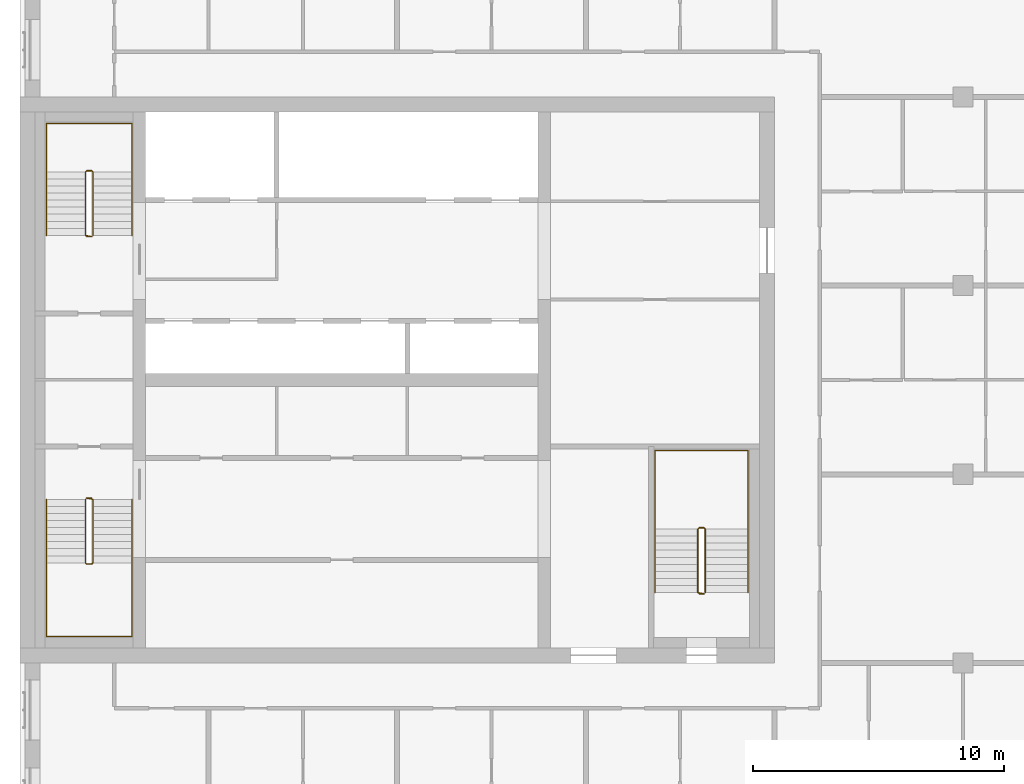
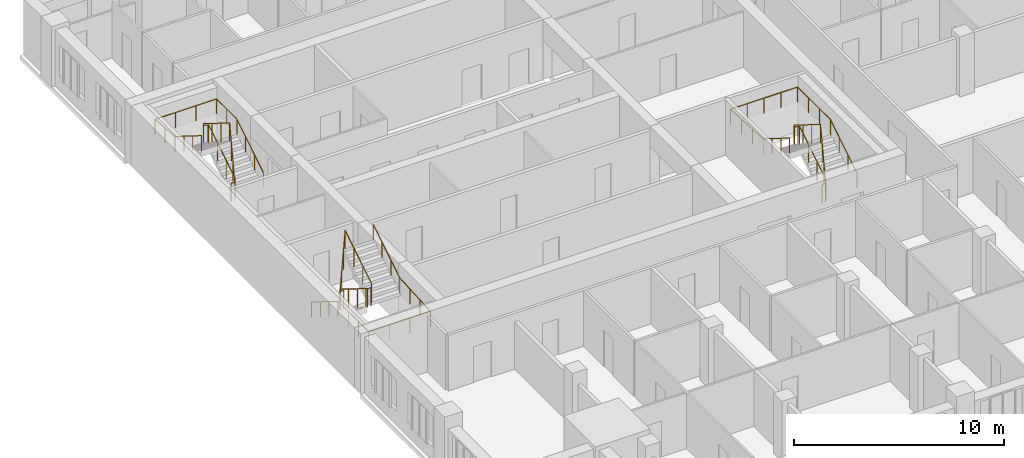
# One storey, part 11 of 11: 6 railings.
"""IFC4 building model written with IfcOpenShell, lengths in metres."""

from ifc_helpers import new_model, si_unit, direction, frame, origin, origin_2d, place, context, subcontext, project, spatial, circle, extrude, material, type_object, element, save


model = new_model("IFC4")

# Units and contexts
model_context = context("Model", 3, precision=1e-05, world=origin(), true_north=direction((0.0, 1.0)))
body_context = subcontext(model_context, "Body", "Model", "MODEL_VIEW")
ifc_project = project(units=[si_unit("LENGTHUNIT", "METRE"), si_unit("AREAUNIT", "SQUARE_METRE"), si_unit("VOLUMEUNIT", "CUBIC_METRE"), si_unit("PLANEANGLEUNIT", "RADIAN"), si_unit("MASSUNIT", "GRAM", prefix="KILO")], contexts=[model_context])

# Site, building, storey
site_placement = place(None, origin())
site = spatial("IfcSite", under=ifc_project, at=site_placement, CompositionType="ELEMENT")
building_placement = place(site_placement, origin())
building = spatial("IfcBuilding", under=site, at=building_placement, Name="Tamorin Gate", CompositionType="ELEMENT")
storey_placement = place(building_placement, frame((0.0, 0.0, 226.699951171875)))
storey = spatial("IfcBuildingStorey", under=building, at=storey_placement, Name="L56", CompositionType="ELEMENT", Elevation=226.699951171875)

# Railings
ifc_material_1 = material(Name="Painted steel balustrade", Category="steel")
railing_type_1 = type_object("IfcRailingType", Name="Stair guard 1100", PredefinedType="GUARDRAIL", material=ifc_material_1)
railing_1_placement = place(storey_placement, frame((32.60009765625, 66.5, 0.175048828125)))
element("IfcRailing", 1, at=railing_1_placement, inside=storey, type_object=railing_type_1, Name="L56 ST1 stair guard 1", PredefinedType="GUARDRAIL", context=body_context, shape_type="SweptSolid", body=[
    extrude(circle(Radius=0.02392578125, at=origin_2d()), frame((0.0, 0.0, 1.076171875), z_axis=(0.0, -0.848007534815, 0.529984170421), x_axis=(1.0, 0.0, 0.0)), (0.0, 0.0, 1.0), 2.9716796875),
    extrude(circle(Radius=0.02392578125, at=origin_2d()), frame((0.0, -2.52001953125, 2.65087890625), z_axis=(0.705375805398, -0.708833529934, 0.0), x_axis=(0.708833529934, 0.705375805398, 0.0)), (0.0, 0.0, 1.0), 0.070556640625),
    extrude(circle(Radius=0.02392578125, at=origin_2d()), frame((0.0498046875, -2.570068359375, 2.65087890625), z_axis=(1.0, 0.0, 0.0), x_axis=(0.0, 1.0, 0.0)), (0.0, 0.0, 1.0), 0.2001953125),
    extrude(circle(Radius=0.02392578125, at=origin_2d()), frame((0.25, -2.570068359375, 2.65087890625), z_axis=(0.263862480399, 0.265155923931, 0.927399011991), x_axis=(-0.708833529934, 0.705375805398, 0.0)), (0.0, 0.0, 1.0), 0.188720703125),
    extrude(circle(Radius=0.02392578125, at=origin_2d()), frame((0.2998046875, -2.52001953125, 2.826171875), z_axis=(0.0, 0.848007534815, 0.529984170421), x_axis=(-1.0, 0.0, 0.0)), (0.0, 0.0, 1.0), 2.9716796875),
    extrude(circle(Radius=0.02392578125, at=origin_2d()), frame((0.2998046875, 0.0, 4.40087890625), z_axis=(-0.071239803756, 0.014261874775, -0.997357252587), x_axis=(-0.196300278283, -0.98054382908, 0.0)), (0.0, 0.0, 1.0), 3.50927734375),
    extrude(circle(Radius=0.02392578125, at=origin_2d()), frame((0.0498046875, 0.050048828125, 0.90087890625), z_axis=(1.0, 0.0, 0.0), x_axis=(0.0, 1.0, 0.0)), (0.0, 0.0, 1.0), 0.2001953125),
    extrude(circle(Radius=0.02099609375, at=origin_2d()), origin(), (0.0, 0.0, 1.0), 1.052001953125),
    extrude(circle(Radius=0.02099609375, at=origin_2d()), frame((0.0, -0.840087890625, 0.52490234375)), (0.0, 0.0, 1.0), 1.052001953125),
    extrude(circle(Radius=0.02099609375, at=origin_2d()), frame((0.0, -1.679931640625, 1.050048828125)), (0.0, 0.0, 1.0), 1.052001953125),
    extrude(circle(Radius=0.02099609375, at=origin_2d()), frame((0.0, -2.52001953125, 1.574951171875)), (0.0, 0.0, 1.0), 1.052001953125),
    extrude(circle(Radius=0.02099609375, at=origin_2d()), frame((0.0498046875, -2.570068359375, 1.574951171875)), (0.0, 0.0, 1.0), 1.052001953125),
    extrude(circle(Radius=0.02099609375, at=origin_2d()), frame((0.25, -2.570068359375, 1.574951171875)), (0.0, 0.0, 1.0), 1.052001953125),
    extrude(circle(Radius=0.02099609375, at=origin_2d()), frame((0.2998046875, -2.52001953125, 1.75)), (0.0, 0.0, 1.0), 1.052001953125),
    extrude(circle(Radius=0.02099609375, at=origin_2d()), frame((0.2998046875, -1.679931640625, 2.27490234375)), (0.0, 0.0, 1.0), 1.052001953125),
    extrude(circle(Radius=0.02099609375, at=origin_2d()), frame((0.2998046875, -0.840087890625, 2.800048828125)), (0.0, 0.0, 1.0), 1.052001953125),
    extrude(circle(Radius=0.02099609375, at=origin_2d()), frame((0.2998046875, 0.0, 3.324951171875)), (0.0, 0.0, 1.0), 1.052001953125),
    extrude(circle(Radius=0.02099609375, at=origin_2d()), frame((0.216552734375, 0.0166015625, 2.158203125)), (0.0, 0.0, 1.0), 1.052001953125),
    extrude(circle(Radius=0.02099609375, at=origin_2d()), frame((0.133056640625, 0.033447265625, 0.99169921875)), (0.0, 0.0, 1.0), 1.052001953125),
    extrude(circle(Radius=0.02099609375, at=origin_2d()), frame((0.0498046875, 0.050048828125, -0.175048828125)), (0.0, 0.0, 1.0), 1.052001953125),
    extrude(circle(Radius=0.02099609375, at=origin_2d()), frame((0.25, 0.050048828125, -0.175048828125)), (0.0, 0.0, 1.0), 1.052001953125),
])
railing_2_placement = place(storey_placement, frame((32.89990234375, 77.0, 0.175048828125)))
element("IfcRailing", 2, at=railing_2_placement, inside=storey, type_object=railing_type_1, Name="L56 ST2 stair guard 1", PredefinedType="GUARDRAIL", context=body_context, shape_type="SweptSolid", body=[
    extrude(circle(Radius=0.02392578125, at=origin_2d()), frame((0.0, 0.0, 1.076171875), z_axis=(0.0, 0.848007534815, 0.529984170421), x_axis=(-1.0, 0.0, 0.0)), (0.0, 0.0, 1.0), 2.9716796875),
    extrude(circle(Radius=0.02392578125, at=origin_2d()), frame((0.0, 2.52001953125, 2.65087890625), z_axis=(-0.705375805398, 0.708833529934, 0.0), x_axis=(-0.708833529934, -0.705375805398, 0.0)), (0.0, 0.0, 1.0), 0.070556640625),
    extrude(circle(Radius=0.02392578125, at=origin_2d()), frame((-0.0498046875, 2.570068359375, 2.65087890625), z_axis=(-1.0, 0.0, 0.0), x_axis=(0.0, -1.0, 0.0)), (0.0, 0.0, 1.0), 0.2001953125),
    extrude(circle(Radius=0.02392578125, at=origin_2d()), frame((-0.25, 2.570068359375, 2.65087890625), z_axis=(-0.263862480399, -0.265155923931, 0.927399011991), x_axis=(0.708833529934, -0.705375805398, 0.0)), (0.0, 0.0, 1.0), 0.188720703125),
    extrude(circle(Radius=0.02392578125, at=origin_2d()), frame((-0.2998046875, 2.52001953125, 2.826171875), z_axis=(0.0, -0.848007534815, 0.529984170421), x_axis=(1.0, 0.0, 0.0)), (0.0, 0.0, 1.0), 2.9716796875),
    extrude(circle(Radius=0.02392578125, at=origin_2d()), frame((-0.2998046875, 0.0, 4.40087890625), z_axis=(0.071239803756, -0.014261874775, -0.997357252587), x_axis=(0.196300278283, 0.98054382908, 0.0)), (0.0, 0.0, 1.0), 3.50927734375),
    extrude(circle(Radius=0.02392578125, at=origin_2d()), frame((-0.0498046875, -0.050048828125, 0.90087890625), z_axis=(-1.0, 0.0, 0.0), x_axis=(0.0, -1.0, 0.0)), (0.0, 0.0, 1.0), 0.2001953125),
    extrude(circle(Radius=0.02099609375, at=origin_2d()), origin(), (0.0, 0.0, 1.0), 1.052001953125),
    extrude(circle(Radius=0.02099609375, at=origin_2d()), frame((0.0, 0.840087890625, 0.52490234375)), (0.0, 0.0, 1.0), 1.052001953125),
    extrude(circle(Radius=0.02099609375, at=origin_2d()), frame((0.0, 1.679931640625, 1.050048828125)), (0.0, 0.0, 1.0), 1.052001953125),
    extrude(circle(Radius=0.02099609375, at=origin_2d()), frame((0.0, 2.52001953125, 1.574951171875)), (0.0, 0.0, 1.0), 1.052001953125),
    extrude(circle(Radius=0.02099609375, at=origin_2d()), frame((-0.0498046875, 2.570068359375, 1.574951171875)), (0.0, 0.0, 1.0), 1.052001953125),
    extrude(circle(Radius=0.02099609375, at=origin_2d()), frame((-0.25, 2.570068359375, 1.574951171875)), (0.0, 0.0, 1.0), 1.052001953125),
    extrude(circle(Radius=0.02099609375, at=origin_2d()), frame((-0.2998046875, 2.52001953125, 1.75)), (0.0, 0.0, 1.0), 1.052001953125),
    extrude(circle(Radius=0.02099609375, at=origin_2d()), frame((-0.2998046875, 1.679931640625, 2.27490234375)), (0.0, 0.0, 1.0), 1.052001953125),
    extrude(circle(Radius=0.02099609375, at=origin_2d()), frame((-0.2998046875, 0.840087890625, 2.800048828125)), (0.0, 0.0, 1.0), 1.052001953125),
    extrude(circle(Radius=0.02099609375, at=origin_2d()), frame((-0.2998046875, 0.0, 3.324951171875)), (0.0, 0.0, 1.0), 1.052001953125),
    extrude(circle(Radius=0.02099609375, at=origin_2d()), frame((-0.216552734375, -0.0166015625, 2.158203125)), (0.0, 0.0, 1.0), 1.052001953125),
    extrude(circle(Radius=0.02099609375, at=origin_2d()), frame((-0.133056640625, -0.033447265625, 0.99169921875)), (0.0, 0.0, 1.0), 1.052001953125),
    extrude(circle(Radius=0.02099609375, at=origin_2d()), frame((-0.0498046875, -0.050048828125, -0.175048828125)), (0.0, 0.0, 1.0), 1.052001953125),
    extrude(circle(Radius=0.02099609375, at=origin_2d()), frame((-0.25, -0.050048828125, -0.175048828125)), (0.0, 0.0, 1.0), 1.052001953125),
])
railing_3_placement = place(storey_placement, frame((57.25, 62.800048828125, 0.175048828125)))
element("IfcRailing", 3, at=railing_3_placement, inside=storey, type_object=railing_type_1, Name="L56 ST3 stair guard 1", PredefinedType="GUARDRAIL", context=body_context, shape_type="SweptSolid", body=[
    extrude(circle(Radius=0.02392578125, at=origin_2d()), frame((0.0, 0.0, 1.076171875), z_axis=(0.0, 0.848007534815, 0.529984170421), x_axis=(-1.0, 0.0, 0.0)), (0.0, 0.0, 1.0), 2.9716796875),
    extrude(circle(Radius=0.02392578125, at=origin_2d()), frame((0.0, 2.52001953125, 2.65087890625), z_axis=(-0.707106781187, 0.707106781187, 0.0), x_axis=(-0.707106781187, -0.707106781187, 0.0)), (0.0, 0.0, 1.0), 0.07080078125),
    extrude(circle(Radius=0.02392578125, at=origin_2d()), frame((-0.050048828125, 2.570068359375, 2.65087890625), z_axis=(-1.0, 0.0, 0.0), x_axis=(0.0, -1.0, 0.0)), (0.0, 0.0, 1.0), 0.199951171875),
    extrude(circle(Radius=0.02392578125, at=origin_2d()), frame((-0.25, 2.570068359375, 2.65087890625), z_axis=(-0.265065253269, -0.265065253269, 0.927081885822), x_axis=(0.707106781187, -0.707106781187, 0.0)), (0.0, 0.0, 1.0), 0.188720703125),
    extrude(circle(Radius=0.02392578125, at=origin_2d()), frame((-0.300048828125, 2.52001953125, 2.826171875), z_axis=(0.0, -0.848007534815, 0.529984170421), x_axis=(1.0, 0.0, 0.0)), (0.0, 0.0, 1.0), 2.9716796875),
    extrude(circle(Radius=0.02392578125, at=origin_2d()), frame((-0.300048828125, 0.0, 4.40087890625), z_axis=(0.071239803756, -0.014261874775, -0.997357252587), x_axis=(0.196300278283, 0.98054382908, 0.0)), (0.0, 0.0, 1.0), 3.50927734375),
    extrude(circle(Radius=0.02392578125, at=origin_2d()), frame((-0.050048828125, -0.050048828125, 0.90087890625), z_axis=(-1.0, 0.0, 0.0), x_axis=(0.0, -1.0, 0.0)), (0.0, 0.0, 1.0), 0.199951171875),
    extrude(circle(Radius=0.02099609375, at=origin_2d()), origin(), (0.0, 0.0, 1.0), 1.052001953125),
    extrude(circle(Radius=0.02099609375, at=origin_2d()), frame((0.0, 0.840087890625, 0.52490234375)), (0.0, 0.0, 1.0), 1.052001953125),
    extrude(circle(Radius=0.02099609375, at=origin_2d()), frame((0.0, 1.679931640625, 1.050048828125)), (0.0, 0.0, 1.0), 1.052001953125),
    extrude(circle(Radius=0.02099609375, at=origin_2d()), frame((0.0, 2.52001953125, 1.574951171875)), (0.0, 0.0, 1.0), 1.052001953125),
    extrude(circle(Radius=0.02099609375, at=origin_2d()), frame((-0.050048828125, 2.570068359375, 1.574951171875)), (0.0, 0.0, 1.0), 1.052001953125),
    extrude(circle(Radius=0.02099609375, at=origin_2d()), frame((-0.25, 2.570068359375, 1.574951171875)), (0.0, 0.0, 1.0), 1.052001953125),
    extrude(circle(Radius=0.02099609375, at=origin_2d()), frame((-0.300048828125, 2.52001953125, 1.75)), (0.0, 0.0, 1.0), 1.052001953125),
    extrude(circle(Radius=0.02099609375, at=origin_2d()), frame((-0.300048828125, 1.679931640625, 2.27490234375)), (0.0, 0.0, 1.0), 1.052001953125),
    extrude(circle(Radius=0.02099609375, at=origin_2d()), frame((-0.300048828125, 0.840087890625, 2.800048828125)), (0.0, 0.0, 1.0), 1.052001953125),
    extrude(circle(Radius=0.02099609375, at=origin_2d()), frame((-0.300048828125, 0.0, 3.324951171875)), (0.0, 0.0, 1.0), 1.052001953125),
    extrude(circle(Radius=0.02099609375, at=origin_2d()), frame((-0.216796875, -0.0166015625, 2.158203125)), (0.0, 0.0, 1.0), 1.052001953125),
    extrude(circle(Radius=0.02099609375, at=origin_2d()), frame((-0.13330078125, -0.033447265625, 0.99169921875)), (0.0, 0.0, 1.0), 1.052001953125),
    extrude(circle(Radius=0.02099609375, at=origin_2d()), frame((-0.050048828125, -0.050048828125, -0.175048828125)), (0.0, 0.0, 1.0), 1.052001953125),
    extrude(circle(Radius=0.02099609375, at=origin_2d()), frame((-0.25, -0.050048828125, -0.175048828125)), (0.0, 0.0, 1.0), 1.052001953125),
])
ifc_material_2 = material(Name="Painted steel handrail", Category="steel")
railing_type_2 = type_object("IfcRailingType", Name="Stair handrail 900", PredefinedType="HANDRAIL", material=ifc_material_2)
railing_4_placement = place(storey_placement, frame((31.050048828125, 66.5, 0.175048828125)))
element("IfcRailing", 4, at=railing_4_placement, inside=storey, type_object=railing_type_2, Name="L56 ST1 stair handrail 1", PredefinedType="HANDRAIL", context=body_context, shape_type="SweptSolid", body=[
    extrude(circle(Radius=0.02392578125, at=origin_2d()), frame((0.0, 0.0, 0.8759765625), z_axis=(0.0, -0.848007534815, 0.529984170421), x_axis=(1.0, 0.0, 0.0)), (0.0, 0.0, 1.0), 2.9716796875),
    extrude(circle(Radius=0.02392578125, at=origin_2d()), frame((0.0, -2.52001953125, 2.45068359375), z_axis=(0.0, -1.0, 0.0), x_axis=(1.0, 0.0, 0.0)), (0.0, 0.0, 1.0), 2.929931640625),
    extrude(circle(Radius=0.02392578125, at=origin_2d()), frame((0.0, -5.449951171875, 2.45068359375), z_axis=(1.0, 0.0, 0.0), x_axis=(0.0, 1.0, 0.0)), (0.0, 0.0, 1.0), 3.39990234375),
    extrude(circle(Radius=0.02392578125, at=origin_2d()), frame((3.39990234375, -5.449951171875, 2.45068359375), z_axis=(0.0, 0.998220029962, 0.0596386769), x_axis=(-1.0, 0.0, 0.0)), (0.0, 0.0, 1.0), 2.93505859375),
    extrude(circle(Radius=0.02392578125, at=origin_2d()), frame((3.39990234375, -2.52001953125, 2.6259765625), z_axis=(0.0, 0.848007534815, 0.529984170421), x_axis=(-1.0, 0.0, 0.0)), (0.0, 0.0, 1.0), 2.9716796875),
    extrude(circle(Radius=0.02099609375, at=origin_2d()), origin(), (0.0, 0.0, 1.0), 0.851806640625),
    extrude(circle(Radius=0.02099609375, at=origin_2d()), frame((0.0, -0.840087890625, 0.52490234375)), (0.0, 0.0, 1.0), 0.851806640625),
    extrude(circle(Radius=0.02099609375, at=origin_2d()), frame((0.0, -1.679931640625, 1.050048828125)), (0.0, 0.0, 1.0), 0.851806640625),
    extrude(circle(Radius=0.02099609375, at=origin_2d()), frame((0.0, -2.52001953125, 1.574951171875)), (0.0, 0.0, 1.0), 0.851806640625),
    extrude(circle(Radius=0.02099609375, at=origin_2d()), frame((0.0, -3.49658203125, 1.574951171875)), (0.0, 0.0, 1.0), 0.851806640625),
    extrude(circle(Radius=0.02099609375, at=origin_2d()), frame((0.0, -4.473388671875, 1.574951171875)), (0.0, 0.0, 1.0), 0.851806640625),
    extrude(circle(Radius=0.02099609375, at=origin_2d()), frame((0.0, -5.449951171875, 1.574951171875)), (0.0, 0.0, 1.0), 0.851806640625),
    extrude(circle(Radius=0.02099609375, at=origin_2d()), frame((1.13330078125, -5.449951171875, 1.574951171875)), (0.0, 0.0, 1.0), 0.851806640625),
    extrude(circle(Radius=0.02099609375, at=origin_2d()), frame((2.2666015625, -5.449951171875, 1.574951171875)), (0.0, 0.0, 1.0), 0.851806640625),
    extrude(circle(Radius=0.02099609375, at=origin_2d()), frame((3.39990234375, -5.449951171875, 1.574951171875)), (0.0, 0.0, 1.0), 0.851806640625),
    extrude(circle(Radius=0.02099609375, at=origin_2d()), frame((3.39990234375, -4.473388671875, 1.63330078125)), (0.0, 0.0, 1.0), 0.851806640625),
    extrude(circle(Radius=0.02099609375, at=origin_2d()), frame((3.39990234375, -3.49658203125, 1.691650390625)), (0.0, 0.0, 1.0), 0.851806640625),
    extrude(circle(Radius=0.02099609375, at=origin_2d()), frame((3.39990234375, -2.52001953125, 1.75)), (0.0, 0.0, 1.0), 0.851806640625),
    extrude(circle(Radius=0.02099609375, at=origin_2d()), frame((3.39990234375, -1.679931640625, 2.27490234375)), (0.0, 0.0, 1.0), 0.851806640625),
    extrude(circle(Radius=0.02099609375, at=origin_2d()), frame((3.39990234375, -0.840087890625, 2.800048828125)), (0.0, 0.0, 1.0), 0.851806640625),
    extrude(circle(Radius=0.02099609375, at=origin_2d()), frame((3.39990234375, 0.0, 3.324951171875)), (0.0, 0.0, 1.0), 0.851806640625),
])
railing_5_placement = place(storey_placement, frame((34.449951171875, 77.0, 0.175048828125)))
element("IfcRailing", 5, at=railing_5_placement, inside=storey, type_object=railing_type_2, Name="L56 ST2 stair handrail 1", PredefinedType="HANDRAIL", context=body_context, shape_type="SweptSolid", body=[
    extrude(circle(Radius=0.02392578125, at=origin_2d()), frame((0.0, 0.0, 0.8759765625), z_axis=(0.0, 0.848007534815, 0.529984170421), x_axis=(-1.0, 0.0, 0.0)), (0.0, 0.0, 1.0), 2.9716796875),
    extrude(circle(Radius=0.02392578125, at=origin_2d()), frame((0.0, 2.52001953125, 2.45068359375), z_axis=(0.0, 1.0, 0.0), x_axis=(-1.0, 0.0, 0.0)), (0.0, 0.0, 1.0), 1.929931640625),
    extrude(circle(Radius=0.02392578125, at=origin_2d()), frame((0.0, 4.449951171875, 2.45068359375), z_axis=(-1.0, 0.0, 0.0), x_axis=(0.0, -1.0, 0.0)), (0.0, 0.0, 1.0), 3.39990234375),
    extrude(circle(Radius=0.02392578125, at=origin_2d()), frame((-3.39990234375, 4.449951171875, 2.45068359375), z_axis=(0.0, -0.995911773435, 0.090331276604), x_axis=(1.0, 0.0, 0.0)), (0.0, 0.0, 1.0), 1.937744140625),
    extrude(circle(Radius=0.02392578125, at=origin_2d()), frame((-3.39990234375, 2.52001953125, 2.6259765625), z_axis=(0.0, -0.848007534815, 0.529984170421), x_axis=(1.0, 0.0, 0.0)), (0.0, 0.0, 1.0), 2.9716796875),
    extrude(circle(Radius=0.02099609375, at=origin_2d()), origin(), (0.0, 0.0, 1.0), 0.851806640625),
    extrude(circle(Radius=0.02099609375, at=origin_2d()), frame((0.0, 0.840087890625, 0.52490234375)), (0.0, 0.0, 1.0), 0.851806640625),
    extrude(circle(Radius=0.02099609375, at=origin_2d()), frame((0.0, 1.679931640625, 1.050048828125)), (0.0, 0.0, 1.0), 0.851806640625),
    extrude(circle(Radius=0.02099609375, at=origin_2d()), frame((0.0, 2.52001953125, 1.574951171875)), (0.0, 0.0, 1.0), 0.851806640625),
    extrude(circle(Radius=0.02099609375, at=origin_2d()), frame((0.0, 3.48486328125, 1.574951171875)), (0.0, 0.0, 1.0), 0.851806640625),
    extrude(circle(Radius=0.02099609375, at=origin_2d()), frame((0.0, 4.449951171875, 1.574951171875)), (0.0, 0.0, 1.0), 0.851806640625),
    extrude(circle(Radius=0.02099609375, at=origin_2d()), frame((-1.13330078125, 4.449951171875, 1.574951171875)), (0.0, 0.0, 1.0), 0.851806640625),
    extrude(circle(Radius=0.02099609375, at=origin_2d()), frame((-2.2666015625, 4.449951171875, 1.574951171875)), (0.0, 0.0, 1.0), 0.851806640625),
    extrude(circle(Radius=0.02099609375, at=origin_2d()), frame((-3.39990234375, 4.449951171875, 1.574951171875)), (0.0, 0.0, 1.0), 0.851806640625),
    extrude(circle(Radius=0.02099609375, at=origin_2d()), frame((-3.39990234375, 3.48486328125, 1.66259765625)), (0.0, 0.0, 1.0), 0.851806640625),
    extrude(circle(Radius=0.02099609375, at=origin_2d()), frame((-3.39990234375, 2.52001953125, 1.75)), (0.0, 0.0, 1.0), 0.851806640625),
    extrude(circle(Radius=0.02099609375, at=origin_2d()), frame((-3.39990234375, 1.679931640625, 2.27490234375)), (0.0, 0.0, 1.0), 0.851806640625),
    extrude(circle(Radius=0.02099609375, at=origin_2d()), frame((-3.39990234375, 0.840087890625, 2.800048828125)), (0.0, 0.0, 1.0), 0.851806640625),
    extrude(circle(Radius=0.02099609375, at=origin_2d()), frame((-3.39990234375, 0.0, 3.324951171875)), (0.0, 0.0, 1.0), 0.851806640625),
])
railing_6_placement = place(storey_placement, frame((58.949951171875, 62.800048828125, 0.175048828125)))
element("IfcRailing", 6, at=railing_6_placement, inside=storey, type_object=railing_type_2, Name="L56 ST3 stair handrail 1", PredefinedType="HANDRAIL", context=body_context, shape_type="SweptSolid", body=[
    extrude(circle(Radius=0.02392578125, at=origin_2d()), frame((0.0, 0.0, 0.8759765625), z_axis=(0.0, 0.848007534815, 0.529984170421), x_axis=(-1.0, 0.0, 0.0)), (0.0, 0.0, 1.0), 2.9716796875),
    extrude(circle(Radius=0.02392578125, at=origin_2d()), frame((0.0, 2.52001953125, 2.45068359375), z_axis=(0.0, 1.0, 0.0), x_axis=(-1.0, 0.0, 0.0)), (0.0, 0.0, 1.0), 3.1298828125),
    extrude(circle(Radius=0.02392578125, at=origin_2d()), frame((0.0, 5.64990234375, 2.45068359375), z_axis=(-1.0, 0.0, 0.0), x_axis=(0.0, -1.0, 0.0)), (0.0, 0.0, 1.0), 3.699951171875),
    extrude(circle(Radius=0.02392578125, at=origin_2d()), frame((-3.699951171875, 5.64990234375, 2.45068359375), z_axis=(0.0, -0.998439675676, 0.055840970941), x_axis=(1.0, 0.0, 0.0)), (0.0, 0.0, 1.0), 3.134765625),
    extrude(circle(Radius=0.02392578125, at=origin_2d()), frame((-3.699951171875, 2.52001953125, 2.6259765625), z_axis=(0.0, -0.848007534815, 0.529984170421), x_axis=(1.0, 0.0, 0.0)), (0.0, 0.0, 1.0), 2.9716796875),
    extrude(circle(Radius=0.02099609375, at=origin_2d()), origin(), (0.0, 0.0, 1.0), 0.851806640625),
    extrude(circle(Radius=0.02099609375, at=origin_2d()), frame((0.0, 0.840087890625, 0.52490234375)), (0.0, 0.0, 1.0), 0.851806640625),
    extrude(circle(Radius=0.02099609375, at=origin_2d()), frame((0.0, 1.679931640625, 1.050048828125)), (0.0, 0.0, 1.0), 0.851806640625),
    extrude(circle(Radius=0.02099609375, at=origin_2d()), frame((0.0, 2.52001953125, 1.574951171875)), (0.0, 0.0, 1.0), 0.851806640625),
    extrude(circle(Radius=0.02099609375, at=origin_2d()), frame((0.0, 3.563232421875, 1.574951171875)), (0.0, 0.0, 1.0), 0.851806640625),
    extrude(circle(Radius=0.02099609375, at=origin_2d()), frame((0.0, 4.606689453125, 1.574951171875)), (0.0, 0.0, 1.0), 0.851806640625),
    extrude(circle(Radius=0.02099609375, at=origin_2d()), frame((0.0, 5.64990234375, 1.574951171875)), (0.0, 0.0, 1.0), 0.851806640625),
    extrude(circle(Radius=0.02099609375, at=origin_2d()), frame((-0.925048828125, 5.64990234375, 1.574951171875)), (0.0, 0.0, 1.0), 0.851806640625),
    extrude(circle(Radius=0.02099609375, at=origin_2d()), frame((-1.85009765625, 5.64990234375, 1.574951171875)), (0.0, 0.0, 1.0), 0.851806640625),
    extrude(circle(Radius=0.02099609375, at=origin_2d()), frame((-2.77490234375, 5.64990234375, 1.574951171875)), (0.0, 0.0, 1.0), 0.851806640625),
    extrude(circle(Radius=0.02099609375, at=origin_2d()), frame((-3.699951171875, 5.64990234375, 1.574951171875)), (0.0, 0.0, 1.0), 0.851806640625),
    extrude(circle(Radius=0.02099609375, at=origin_2d()), frame((-3.699951171875, 4.606689453125, 1.63330078125)), (0.0, 0.0, 1.0), 0.851806640625),
    extrude(circle(Radius=0.02099609375, at=origin_2d()), frame((-3.699951171875, 3.563232421875, 1.691650390625)), (0.0, 0.0, 1.0), 0.851806640625),
    extrude(circle(Radius=0.02099609375, at=origin_2d()), frame((-3.699951171875, 2.52001953125, 1.75)), (0.0, 0.0, 1.0), 0.851806640625),
    extrude(circle(Radius=0.02099609375, at=origin_2d()), frame((-3.699951171875, 1.679931640625, 2.27490234375)), (0.0, 0.0, 1.0), 0.851806640625),
    extrude(circle(Radius=0.02099609375, at=origin_2d()), frame((-3.699951171875, 0.840087890625, 2.800048828125)), (0.0, 0.0, 1.0), 0.851806640625),
    extrude(circle(Radius=0.02099609375, at=origin_2d()), frame((-3.699951171875, 0.0, 3.324951171875)), (0.0, 0.0, 1.0), 0.851806640625),
])

save(model, "model.ifc")
